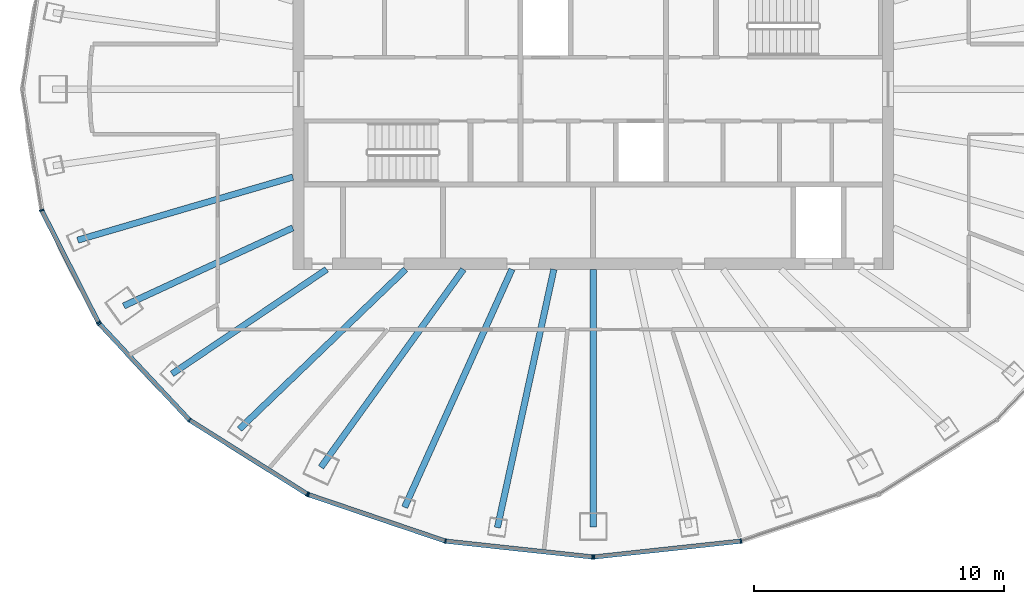
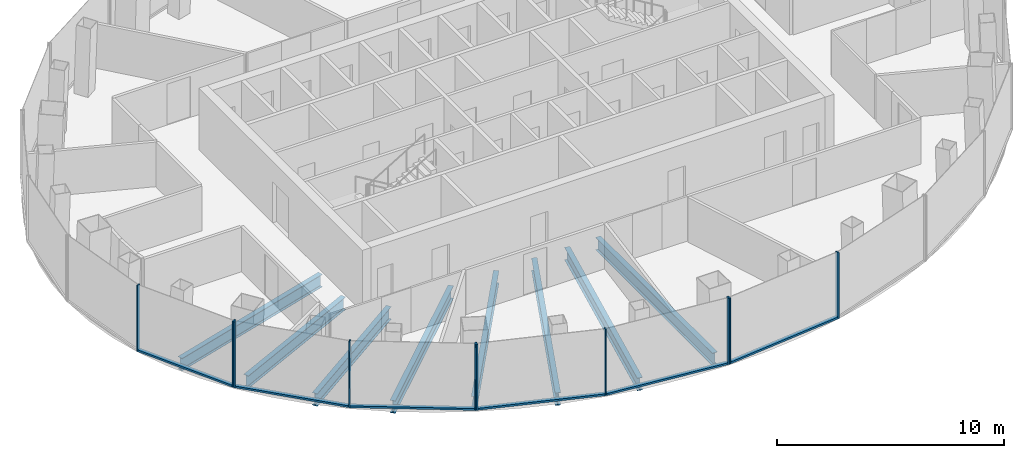
# One storey, part 2 of 11: 16 members, 8 beams, 4 elements without a shape of their own.
"""IFC4 building model written with IfcOpenShell, lengths in metres."""

from ifc_helpers import new_model, si_unit, direction, frame, origin, origin_2d, place, context, subcontext, project, spatial, rectangle, i_section, extrude, material, layer, layer_set, material_profile, profile_set, type_object, element, aggregate, save


model = new_model("IFC4")

# Units and contexts
model_context = context("Model", 3, precision=1e-05, world=origin(), true_north=direction((0.0, 1.0)))
body_context = subcontext(model_context, "Body", "Model", "MODEL_VIEW")
ifc_project = project(units=[si_unit("LENGTHUNIT", "METRE"), si_unit("AREAUNIT", "SQUARE_METRE"), si_unit("VOLUMEUNIT", "CUBIC_METRE"), si_unit("PLANEANGLEUNIT", "RADIAN"), si_unit("MASSUNIT", "GRAM", prefix="KILO")], contexts=[model_context])

# Site, building, storey
site_placement = place(None, origin())
site = spatial("IfcSite", under=ifc_project, at=site_placement, CompositionType="ELEMENT")
building_placement = place(site_placement, origin())
building = spatial("IfcBuilding", under=site, at=building_placement, Name="Siaravel Broadcast Tower", CompositionType="ELEMENT")
storey_placement = place(building_placement, frame((0.0, 0.0, 197.800048828125)))
storey = spatial("IfcBuildingStorey", under=building, at=storey_placement, Name="L48", CompositionType="ELEMENT", Elevation=197.800048828125)

# Beams
ifc_material_1 = material(Name="Steel S355", Category="steel")
ifc_material_profile_1 = material_profile(ifc_material_1, i_section(OverallWidth=0.2529296875, OverallDepth=0.677978515625, WebThickness=0.01171875, FlangeThickness=0.01611328125, FilletRadius=0.01513671875, at=origin_2d()))
ifc_profile_set_1 = profile_set([ifc_material_profile_1], Name="Steel S355")
beam_type = type_object("IfcBeamType", Name="BM-UB 686x254x125", PredefinedType="BEAM", material=ifc_profile_set_1)
beam_1_placement = place(storey_placement, frame((-20.596435546875, -6.03369140625, -0.489013671875), z_axis=(0.959668741, 0.281133256, 0.0), x_axis=(-0.281133256, 0.959668741, 0.0)))
element("IfcBeam", 1, at=beam_1_placement, inside=storey, type_object=beam_type, Name="Radial beam RB21", PredefinedType="BEAM", context=body_context, shape_type="SweptSolid", body=[
    extrude(i_section(OverallWidth=0.2529296875, OverallDepth=0.677978515625, WebThickness=0.01171875, FlangeThickness=0.01611328125, FilletRadius=0.01513671875, at=origin_2d()), origin(), (0.0, 0.0, 1.0), 8.957763671875),
])
beam_2_placement = place(storey_placement, frame((-18.75634765625, -8.66162109375, -0.489013671875), z_axis=(0.907867186, 0.419257883, 0.0), x_axis=(-0.419257883, 0.907867186, 0.0)))
element("IfcBeam", 2, at=beam_2_placement, inside=storey, type_object=beam_type, Name="Radial beam RB22", PredefinedType="BEAM", context=body_context, shape_type="SweptSolid", body=[
    extrude(i_section(OverallWidth=0.2529296875, OverallDepth=0.677978515625, WebThickness=0.01171875, FlangeThickness=0.01611328125, FilletRadius=0.01513671875, at=origin_2d()), origin(), (0.0, 0.0, 1.0), 7.44189453125),
])
beam_3_placement = place(storey_placement, frame((-16.827392578125, -11.37744140625, -0.489013671875), z_axis=(0.828411629, 0.560119784, 0.0), x_axis=(-0.560119784, 0.828411629, 0.0)))
element("IfcBeam", 3, at=beam_3_placement, inside=storey, type_object=beam_type, Name="Radial beam RB23", PredefinedType="BEAM", context=body_context, shape_type="SweptSolid", body=[
    extrude(i_section(OverallWidth=0.2529296875, OverallDepth=0.677978515625, WebThickness=0.01171875, FlangeThickness=0.01611328125, FilletRadius=0.01513671875, at=origin_2d()), origin(), (0.0, 0.0, 1.0), 7.458251953125),
])
beam_4_placement = place(storey_placement, frame((-14.1357421875, -13.58203125, -0.489013671875), z_axis=(0.721092248, 0.692839065, 0.0), x_axis=(-0.692839065, 0.721092248, 0.0)))
element("IfcBeam", 4, at=beam_4_placement, inside=storey, type_object=beam_type, Name="Radial beam RB24", PredefinedType="BEAM", context=body_context, shape_type="SweptSolid", body=[
    extrude(i_section(OverallWidth=0.2529296875, OverallDepth=0.677978515625, WebThickness=0.01171875, FlangeThickness=0.01611328125, FilletRadius=0.01513671875, at=origin_2d()), origin(), (0.0, 0.0, 1.0), 9.21142578125),
])
beam_5_placement = place(storey_placement, frame((-10.8779296875, -15.105712890625, -0.489013671875), z_axis=(0.58437008, 0.811487282, 0.0), x_axis=(-0.811487282, 0.58437008, 0.0)))
element("IfcBeam", 5, at=beam_5_placement, inside=storey, type_object=beam_type, Name="Radial beam RB25", PredefinedType="BEAM", context=body_context, shape_type="SweptSolid", body=[
    extrude(i_section(OverallWidth=0.2529296875, OverallDepth=0.677978515625, WebThickness=0.01171875, FlangeThickness=0.01611328125, FilletRadius=0.01513671875, at=origin_2d()), origin(), (0.0, 0.0, 1.0), 9.742431640625),
])
beam_6_placement = place(storey_placement, frame((-7.533935546875, -16.702880859375, -0.489013671875), z_axis=(0.411166898, 0.911560081, 0.0), x_axis=(-0.911560081, 0.411166898, 0.0)))
element("IfcBeam", 6, at=beam_6_placement, inside=storey, type_object=beam_type, Name="Radial beam RB26", PredefinedType="BEAM", context=body_context, shape_type="SweptSolid", body=[
    extrude(i_section(OverallWidth=0.2529296875, OverallDepth=0.677978515625, WebThickness=0.01171875, FlangeThickness=0.01611328125, FilletRadius=0.01513671875, at=origin_2d()), origin(), (0.0, 0.0, 1.0), 10.4248046875),
])
beam_7_placement = place(storey_placement, frame((-3.826904296875, -17.5166015625, -0.489013671875), z_axis=(0.213438313, 0.976956543, 0.0), x_axis=(-0.976956543, 0.213438313, 0.0)))
element("IfcBeam", 7, at=beam_7_placement, inside=storey, type_object=beam_type, Name="Radial beam RB27", PredefinedType="BEAM", context=body_context, shape_type="SweptSolid", body=[
    extrude(i_section(OverallWidth=0.2529296875, OverallDepth=0.677978515625, WebThickness=0.01171875, FlangeThickness=0.01611328125, FilletRadius=0.01513671875, at=origin_2d()), origin(), (0.0, 0.0, 1.0), 10.56005859375),
])
beam_8_placement = place(storey_placement, frame((0.0, -17.49072265625, -0.489013671875), z_axis=(0.0, 1.0, 0.0), x_axis=(-1.0, 0.0, 0.0)))
element("IfcBeam", 8, at=beam_8_placement, inside=storey, type_object=beam_type, Name="Radial beam RB28", PredefinedType="BEAM", context=body_context, shape_type="SweptSolid", body=[
    extrude(i_section(OverallWidth=0.2529296875, OverallDepth=0.677978515625, WebThickness=0.01171875, FlangeThickness=0.01611328125, FilletRadius=0.01513671875, at=origin_2d()), origin(), (0.0, 0.0, 1.0), 10.290771484375),
])

# Curtain wall, members
ifc_material_2 = material(Name="Aluminium 6063-T6", Category="aluminium")
ifc_layer = layer(ifc_material_2, 0.179931640625)
ifc_layer_set = layer_set([ifc_layer], Name="Aluminium 6063-T6")
curtain_wall_type = type_object("IfcCurtainWallType", Name="Unitised curtain wall, zone 3", PredefinedType="NOTDEFINED", material=ifc_layer_set)
curtain_wall_1_placement = place(storey_placement, origin())
curtain_wall_1 = element("IfcCurtainWall", 9, at=curtain_wall_1_placement, inside=storey, type_object=curtain_wall_type, Name="L48 Unitised curtain wall, zone 3 07", PredefinedType="NOTDEFINED")
ifc_material_profile_2 = material_profile(ifc_material_2, rectangle(XDim=0.179931640625, YDim=0.06005859375, at=origin_2d()))
ifc_profile_set_2 = profile_set([ifc_material_profile_2], Name="Aluminium 6063-T6")
member_type_1 = type_object("IfcMemberType", Name="CW-Z3 mullion", PredefinedType="MULLION", material=ifc_profile_set_2)
member_1_placement = place(storey_placement, frame((-22.0322265625, -4.8408203125, 0.0), z_axis=(0.0, 0.0, 1.0), x_axis=(0.951177224, 0.308645247, 0.0)))
member_1 = element("IfcMember", 10, at=member_1_placement, type_object=member_type_1, Name="CW-Z3 mullion 2", PredefinedType="MULLION", context=body_context, shape_type="SweptSolid", body=[
    extrude(rectangle(XDim=0.179931640625, YDim=0.06005859375, at=origin_2d()), origin(), (0.0, 0.0, 1.0), 3.550048828125),
])
member_2_placement = place(storey_placement, frame((-19.765380859375, -9.323486328125, 0.0), z_axis=(0.0, 0.0, 1.0), x_axis=(0.892392092, 0.45126085, 0.0)))
member_2 = element("IfcMember", 11, at=member_2_placement, type_object=member_type_1, Name="CW-Z3 mullion 3", PredefinedType="MULLION", context=body_context, shape_type="SweptSolid", body=[
    extrude(rectangle(XDim=0.179931640625, YDim=0.06005859375, at=origin_2d()), origin(), (0.0, 0.0, 1.0), 3.550048828125),
])

curtain_wall_2_placement = place(storey_placement, origin())
curtain_wall_2 = element("IfcCurtainWall", 12, at=curtain_wall_2_placement, inside=storey, type_object=curtain_wall_type, Name="L48 Unitised curtain wall, zone 3 08", PredefinedType="NOTDEFINED")
member_3_placement = place(storey_placement, frame((-19.7314453125, -9.372314453125, 0.0), z_axis=(0.0, 0.0, 1.0), x_axis=(0.729805157, 0.6836552, 0.0)))
member_3 = element("IfcMember", 13, at=member_3_placement, type_object=member_type_1, Name="CW-Z3 mullion 1", PredefinedType="MULLION", context=body_context, shape_type="SweptSolid", body=[
    extrude(rectangle(XDim=0.179931640625, YDim=0.06005859375, at=origin_2d()), origin(), (0.0, 0.0, 1.0), 3.550048828125),
])
member_4_placement = place(storey_placement, frame((-16.12548828125, -13.221435546875, 0.0), z_axis=(0.0, 0.0, 1.0), x_axis=(0.636218507, 0.771508918, 0.0)))
member_4 = element("IfcMember", 14, at=member_4_placement, type_object=member_type_1, Name="CW-Z3 mullion 2", PredefinedType="MULLION", context=body_context, shape_type="SweptSolid", body=[
    extrude(rectangle(XDim=0.179931640625, YDim=0.06005859375, at=origin_2d()), origin(), (0.0, 0.0, 1.0), 3.550048828125),
])
member_5_placement = place(storey_placement, frame((-11.427001953125, -16.1748046875, 0.0), z_axis=(0.0, 0.0, 1.0), x_axis=(0.532149052, 0.846650687, 0.0)))
member_5 = element("IfcMember", 15, at=member_5_placement, type_object=member_type_1, Name="CW-Z3 mullion 3", PredefinedType="MULLION", context=body_context, shape_type="SweptSolid", body=[
    extrude(rectangle(XDim=0.179931640625, YDim=0.06005859375, at=origin_2d()), origin(), (0.0, 0.0, 1.0), 3.550048828125),
])

curtain_wall_3_placement = place(storey_placement, origin())
curtain_wall_3 = element("IfcCurtainWall", 16, at=curtain_wall_3_placement, inside=storey, type_object=curtain_wall_type, Name="L48 Unitised curtain wall, zone 3 09", PredefinedType="NOTDEFINED")
member_6_placement = place(storey_placement, frame((-11.373046875, -16.2001953125, 0.0), z_axis=(0.0, 0.0, 1.0), x_axis=(0.321300458, 0.946977305, 0.0)))
member_6 = element("IfcMember", 17, at=member_6_placement, type_object=member_type_1, Name="CW-Z3 mullion 1", PredefinedType="MULLION", context=body_context, shape_type="SweptSolid", body=[
    extrude(rectangle(XDim=0.179931640625, YDim=0.06005859375, at=origin_2d()), origin(), (0.0, 0.0, 1.0), 3.550048828125),
])
member_7_placement = place(storey_placement, frame((-5.901611328125, -18.056884765625, 0.0), z_axis=(0.0, 0.0, 1.0), x_axis=(0.21555795, 0.97649105, 0.0)))
member_7 = element("IfcMember", 18, at=member_7_placement, type_object=member_type_1, Name="CW-Z3 mullion 2", PredefinedType="MULLION", context=body_context, shape_type="SweptSolid", body=[
    extrude(rectangle(XDim=0.179931640625, YDim=0.06005859375, at=origin_2d()), origin(), (0.0, 0.0, 1.0), 3.550048828125),
])
member_8_placement = place(storey_placement, frame((-0.02978515625, -18.68994140625, 0.0), z_axis=(0.0, 0.0, 1.0), x_axis=(0.107217422, 0.994235598, 0.0)))
member_8 = element("IfcMember", 19, at=member_8_placement, type_object=member_type_1, Name="CW-Z3 mullion 3", PredefinedType="MULLION", context=body_context, shape_type="SweptSolid", body=[
    extrude(rectangle(XDim=0.179931640625, YDim=0.06005859375, at=origin_2d()), origin(), (0.0, 0.0, 1.0), 3.550048828125),
])

curtain_wall_4_placement = place(storey_placement, origin())
curtain_wall_4 = element("IfcCurtainWall", 20, at=curtain_wall_4_placement, inside=storey, type_object=curtain_wall_type, Name="L48 Unitised curtain wall, zone 3 10", PredefinedType="NOTDEFINED")
member_9_placement = place(storey_placement, frame((0.02978515625, -18.68994140625, 0.0), z_axis=(0.0, 0.0, 1.0), x_axis=(-0.107217422, 0.994235598, 0.0)))
member_9 = element("IfcMember", 21, at=member_9_placement, type_object=member_type_1, Name="CW-Z3 mullion 1", PredefinedType="MULLION", context=body_context, shape_type="SweptSolid", body=[
    extrude(rectangle(XDim=0.179931640625, YDim=0.06005859375, at=origin_2d()), origin(), (0.0, 0.0, 1.0), 3.550048828125),
])
member_10_placement = place(storey_placement, frame((5.901611328125, -18.056884765625, 0.0), z_axis=(0.0, 0.0, 1.0), x_axis=(-0.21555795, 0.97649105, 0.0)))
member_10 = element("IfcMember", 22, at=member_10_placement, type_object=member_type_1, Name="CW-Z3 mullion 2", PredefinedType="MULLION", context=body_context, shape_type="SweptSolid", body=[
    extrude(rectangle(XDim=0.179931640625, YDim=0.06005859375, at=origin_2d()), origin(), (0.0, 0.0, 1.0), 3.550048828125),
])

# Member
ifc_material_profile_3 = material_profile(ifc_material_2, rectangle(XDim=0.179931640625, YDim=0.10009765625, at=origin_2d()))
ifc_profile_set_3 = profile_set([ifc_material_profile_3], Name="Aluminium 6063-T6")
member_type_2 = type_object("IfcMemberType", Name="CW-Z3 transom", PredefinedType="USERDEFINED", material=ifc_profile_set_3)
member_11_placement = place(storey_placement, frame((-22.018798828125, -4.867431640625, 0.050048828125), z_axis=(0.45128156, -0.892381619, 0.0), x_axis=(0.892381619, 0.45128156, 0.0)))
member_11 = element("IfcMember", 23, at=member_11_placement, type_object=member_type_2, Name="CW-Z3 transom 2", ObjectType="TRANSOM", PredefinedType="USERDEFINED", context=body_context, shape_type="SweptSolid", body=[
    extrude(rectangle(XDim=0.179931640625, YDim=0.10009765625, at=origin_2d()), origin(), (0.0, 0.0, 1.0), 4.963623046875),
])

aggregate(curtain_wall_1, [member_1, member_2, member_11])

member_12_placement = place(storey_placement, frame((-19.710693359375, -9.394287109375, 0.050048828125), z_axis=(0.683645131, -0.72981459, 0.0), x_axis=(0.72981459, 0.683645131, 0.0)))
member_12 = element("IfcMember", 24, at=member_12_placement, type_object=member_type_2, Name="CW-Z3 transom 1", ObjectType="TRANSOM", PredefinedType="USERDEFINED", context=body_context, shape_type="SweptSolid", body=[
    extrude(rectangle(XDim=0.179931640625, YDim=0.10009765625, at=origin_2d()), origin(), (0.0, 0.0, 1.0), 5.2138671875),
])

member_13_placement = place(storey_placement, frame((-16.10009765625, -13.2373046875, 0.050048828125), z_axis=(0.846638839, -0.532167902, 0.0), x_axis=(0.532167902, 0.846638839, 0.0)))
member_13 = element("IfcMember", 25, at=member_13_placement, type_object=member_type_2, Name="CW-Z3 transom 2", ObjectType="TRANSOM", PredefinedType="USERDEFINED", context=body_context, shape_type="SweptSolid", body=[
    extrude(rectangle(XDim=0.179931640625, YDim=0.10009765625, at=origin_2d()), origin(), (0.0, 0.0, 1.0), 5.489501953125),
])

aggregate(curtain_wall_2, [member_3, member_4, member_5, member_12, member_13])

member_14_placement = place(storey_placement, frame((-11.3447265625, -16.2099609375, 0.050048828125), z_axis=(0.946978932, -0.321295661, 0.0), x_axis=(0.321295661, 0.946978932, 0.0)))
member_14 = element("IfcMember", 26, at=member_14_placement, type_object=member_type_2, Name="CW-Z3 transom 1", ObjectType="TRANSOM", PredefinedType="USERDEFINED", context=body_context, shape_type="SweptSolid", body=[
    extrude(rectangle(XDim=0.179931640625, YDim=0.10009765625, at=origin_2d()), origin(), (0.0, 0.0, 1.0), 5.718017578125),
])

member_15_placement = place(storey_placement, frame((-5.87158203125, -18.06005859375, 0.050048828125), z_axis=(0.994236081, -0.107212939, 0.0), x_axis=(0.107212939, 0.994236081, 0.0)))
member_15 = element("IfcMember", 27, at=member_15_placement, type_object=member_type_2, Name="CW-Z3 transom 2", ObjectType="TRANSOM", PredefinedType="USERDEFINED", context=body_context, shape_type="SweptSolid", body=[
    extrude(rectangle(XDim=0.179931640625, YDim=0.10009765625, at=origin_2d()), origin(), (0.0, 0.0, 1.0), 5.845458984375),
])

aggregate(curtain_wall_3, [member_6, member_7, member_8, member_14, member_15])

member_16_placement = place(storey_placement, frame((0.059814453125, -18.686767578125, 0.050048828125), z_axis=(0.994236081, 0.107212939, 0.0), x_axis=(-0.107212939, 0.994236081, 0.0)))
member_16 = element("IfcMember", 28, at=member_16_placement, type_object=member_type_2, Name="CW-Z3 transom 1", ObjectType="TRANSOM", PredefinedType="USERDEFINED", context=body_context, shape_type="SweptSolid", body=[
    extrude(rectangle(XDim=0.179931640625, YDim=0.10009765625, at=origin_2d()), origin(), (0.0, 0.0, 1.0), 5.845458984375),
])

aggregate(curtain_wall_4, [member_9, member_10, member_16])

save(model, "model.ifc")
